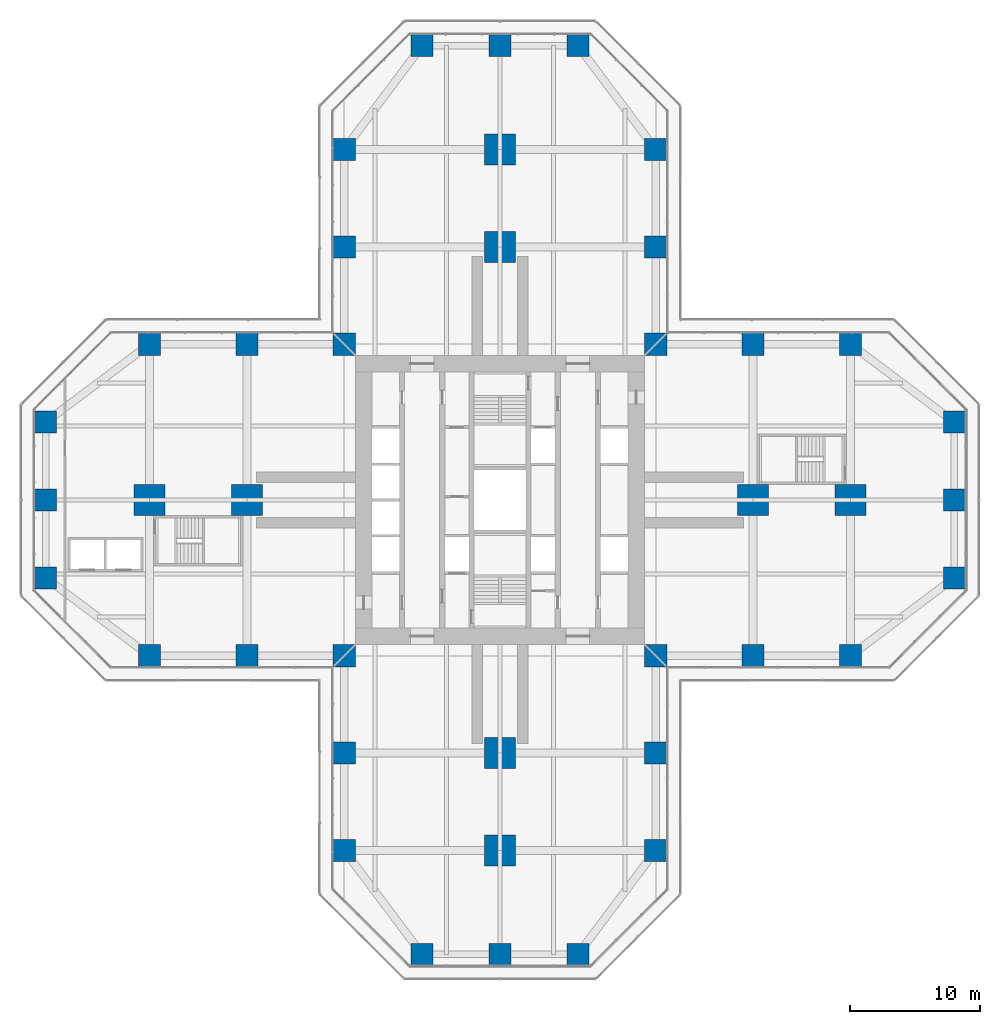
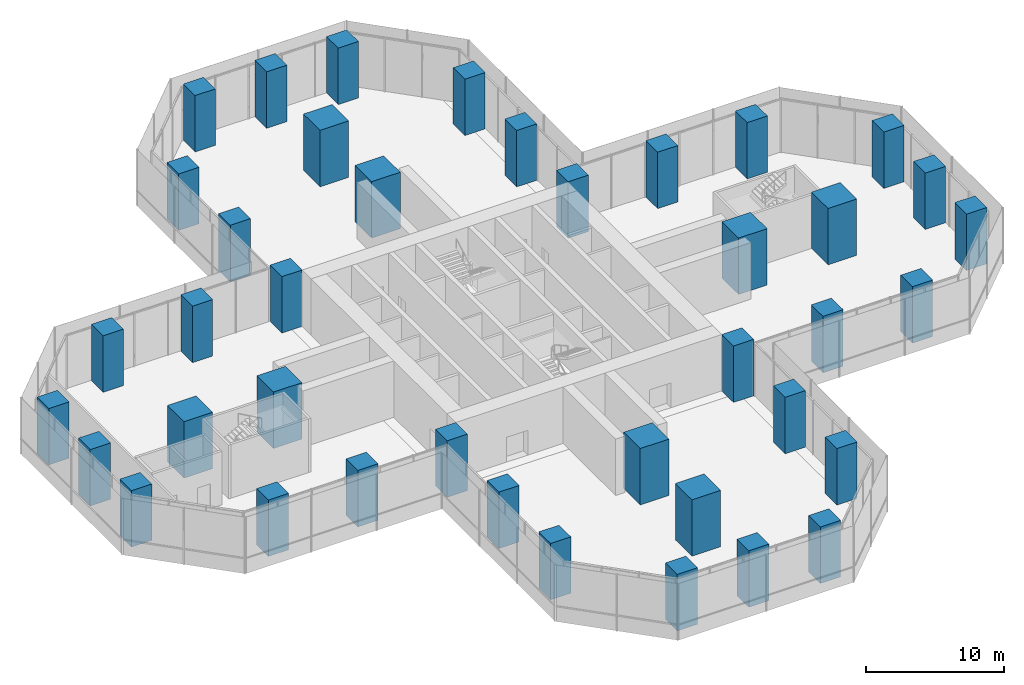
# One storey, part 1 of 23: 40 columns.
"""IFC4 building model written with IfcOpenShell, lengths in metres."""

from ifc_helpers import new_model, si_unit, direction, frame, origin, origin_2d, place, context, subcontext, project, spatial, rectangle, extrude, material, material_profile, profile_set, type_object, element, save


model = new_model("IFC4")

# Units and contexts
model_context = context("Model", 3, precision=1e-05, world=origin(), true_north=direction((0.0, 1.0)))
body_context = subcontext(model_context, "Body", "Model", "MODEL_VIEW")
ifc_project = project(units=[si_unit("LENGTHUNIT", "METRE"), si_unit("AREAUNIT", "SQUARE_METRE"), si_unit("VOLUMEUNIT", "CUBIC_METRE"), si_unit("PLANEANGLEUNIT", "RADIAN"), si_unit("MASSUNIT", "GRAM", prefix="KILO")], contexts=[model_context])

# Site, building, storey
site_placement = place(None, origin())
site = spatial("IfcSite", under=ifc_project, at=site_placement, CompositionType="ELEMENT")
building_placement = place(site_placement, origin())
building = spatial("IfcBuilding", under=site, at=building_placement, Name="Mizan Broadcast Tower", CompositionType="ELEMENT")
storey_placement = place(building_placement, frame((0.0, 0.0, 23.0)))
storey = spatial("IfcBuildingStorey", under=building, at=storey_placement, Name="L03", CompositionType="ELEMENT", Elevation=23.0)

# Columns
ifc_material_1 = material(Name="Concrete C70/85", Category="concrete")
ifc_material_profile_1 = material_profile(ifc_material_1, rectangle(XDim=1.699951171875, YDim=1.699951171875, at=origin_2d()), Name="RC 1700x1700")
ifc_profile_set_1 = profile_set([ifc_material_profile_1], Name="Concrete C70/85")
column_type_1 = type_object("IfcColumnType", Name="RC COLUMN 1700x1700 C70/85", PredefinedType="COLUMN", material=ifc_profile_set_1)
for number, where, z_axis, x_axis, name in (
    (1, (-6.0, -35.0, 0.0), (0.0, 0.0, 1.0), (1.0, 0.0, 0.0), "Column 5/A L03"),
    (2, (0.0, -35.0, 0.0), (0.0, 0.0, 1.0), (1.0, 0.0, 0.0), "Column 6/A L03"),
    (3, (6.0, -35.0, 0.0), (0.0, 0.0, 1.0), (1.0, 0.0, 0.0), "Column 7/A L03"),
    (4, (-12.0, -27.0, 0.0), (0.0, 0.0, 1.0), (1.0, 0.0, 0.0), "Column 4/B L03"),
    (5, (12.0, -27.0, 0.0), (0.0, 0.0, 1.0), (1.0, 0.0, 0.0), "Column 8/B L03"),
    (6, (-12.0, -19.5, 0.0), (0.0, 0.0, 1.0), (1.0, 0.0, 0.0), "Column 4/C L03"),
    (7, (12.0, -19.5, 0.0), (0.0, 0.0, 1.0), (1.0, 0.0, 0.0), "Column 8/C L03"),
    (8, (-27.0, -12.0, 0.0), (0.0, 0.0, 1.0), (1.0, 0.0, 0.0), "Column 2/D L03"),
    (9, (-19.5, -12.0, 0.0), (0.0, 0.0, 1.0), (1.0, 0.0, 0.0), "Column 3/D L03"),
    (10, (-12.0, -12.0, 0.0), (0.0, 0.0, 1.0), (1.0, 0.0, 0.0), "Column 4/D L03"),
    (11, (12.0, -12.0, 0.0), (0.0, 0.0, 1.0), (1.0, 0.0, 0.0), "Column 8/D L03"),
    (12, (19.5, -12.0, 0.0), (0.0, 0.0, 1.0), (1.0, 0.0, 0.0), "Column 9/D L03"),
    (13, (27.0, -12.0, 0.0), (0.0, 0.0, 1.0), (1.0, 0.0, 0.0), "Column 10/D L03"),
    (14, (-35.0, -6.0, 0.0), (0.0, 0.0, 1.0), (1.0, 0.0, 0.0), "Column 1/E L03"),
    (15, (35.0, -6.0, 0.0), (0.0, 0.0, 1.0), (1.0, 0.0, 0.0), "Column 11/E L03"),
    (16, (-35.0, 0.0, 0.0), (0.0, 0.0, 1.0), (1.0, 0.0, 0.0), "Column 1/F L03"),
    (17, (35.0, 0.0, 0.0), (0.0, 0.0, 1.0), (1.0, 0.0, 0.0), "Column 11/F L03"),
    (18, (-35.0, 6.0, 0.0), (0.0, 0.0, 1.0), (1.0, 0.0, 0.0), "Column 1/G L03"),
    (19, (35.0, 6.0, 0.0), (0.0, 0.0, 1.0), (1.0, 0.0, 0.0), "Column 11/G L03"),
    (20, (-27.0, 12.0, 0.0), (0.0, 0.0, 1.0), (1.0, 0.0, 0.0), "Column 2/H L03"),
    (21, (-19.5, 12.0, 0.0), (0.0, 0.0, 1.0), (1.0, 0.0, 0.0), "Column 3/H L03"),
    (22, (-12.0, 12.0, 0.0), (0.0, 0.0, 1.0), (1.0, 0.0, 0.0), "Column 4/H L03"),
    (23, (12.0, 12.0, 0.0), (0.0, 0.0, 1.0), (1.0, 0.0, 0.0), "Column 8/H L03"),
    (24, (19.5, 12.0, 0.0), (0.0, 0.0, 1.0), (1.0, 0.0, 0.0), "Column 9/H L03"),
    (25, (27.0, 12.0, 0.0), (0.0, 0.0, 1.0), (1.0, 0.0, 0.0), "Column 10/H L03"),
    (26, (-12.0, 19.5, 0.0), (0.0, 0.0, 1.0), (1.0, 0.0, 0.0), "Column 4/J L03"),
    (27, (12.0, 19.5, 0.0), (0.0, 0.0, 1.0), (1.0, 0.0, 0.0), "Column 8/J L03"),
    (28, (-12.0, 27.0, 0.0), (0.0, 0.0, 1.0), (1.0, 0.0, 0.0), "Column 4/K L03"),
    (29, (12.0, 27.0, 0.0), (0.0, 0.0, 1.0), (1.0, 0.0, 0.0), "Column 8/K L03"),
    (30, (-6.0, 35.0, 0.0), (0.0, 0.0, 1.0), (1.0, 0.0, 0.0), "Column 5/L L03"),
    (31, (0.0, 35.0, 0.0), (0.0, 0.0, 1.0), (1.0, 0.0, 0.0), "Column 6/L L03"),
    (32, (6.0, 35.0, 0.0), (0.0, 0.0, 1.0), (1.0, 0.0, 0.0), "Column 7/L L03"),
):
    element("IfcColumn", number, at=place(storey_placement, frame(where, z_axis=z_axis, x_axis=x_axis)), inside=storey, type_object=column_type_1, Name=name, PredefinedType="COLUMN", context=body_context, shape_type="SweptSolid", body=[
        extrude(rectangle(XDim=1.699951171875, YDim=1.699951171875, at=origin_2d()), origin(), (0.0, 0.0, 1.0), 5.0),
    ])
ifc_material_2 = material(Name="Concrete C70/85", Category="concrete")
ifc_material_profile_2 = material_profile(ifc_material_2, rectangle(XDim=2.39990234375, YDim=2.39990234375, at=origin_2d()), Name="RC 2400x2400")
ifc_profile_set_2 = profile_set([ifc_material_profile_2], Name="Concrete C70/85")
column_type_2 = type_object("IfcColumnType", Name="RC COLUMN 2400x2400 C70/85", PredefinedType="COLUMN", material=ifc_profile_set_2)
for number, where, z_axis, x_axis, name in (
    (33, (0.0, -27.0, 0.0), (0.0, 0.0, 1.0), (1.0, 0.0, 0.0), "Column 6/B L03"),
    (34, (0.0, -19.5, 0.0), (0.0, 0.0, 1.0), (1.0, 0.0, 0.0), "Column 6/C L03"),
    (35, (-27.0, 0.0, 0.0), (0.0, 0.0, 1.0), (1.0, 0.0, 0.0), "Column 2/F L03"),
    (36, (-19.5, 0.0, 0.0), (0.0, 0.0, 1.0), (1.0, 0.0, 0.0), "Column 3/F L03"),
    (37, (19.5, 0.0, 0.0), (0.0, 0.0, 1.0), (1.0, 0.0, 0.0), "Column 9/F L03"),
    (38, (27.0, 0.0, 0.0), (0.0, 0.0, 1.0), (1.0, 0.0, 0.0), "Column 10/F L03"),
    (39, (0.0, 19.5, 0.0), (0.0, 0.0, 1.0), (1.0, 0.0, 0.0), "Column 6/J L03"),
    (40, (0.0, 27.0, 0.0), (0.0, 0.0, 1.0), (1.0, 0.0, 0.0), "Column 6/K L03"),
):
    element("IfcColumn", number, at=place(storey_placement, frame(where, z_axis=z_axis, x_axis=x_axis)), inside=storey, type_object=column_type_2, Name=name, PredefinedType="COLUMN", context=body_context, shape_type="SweptSolid", body=[
        extrude(rectangle(XDim=2.39990234375, YDim=2.39990234375, at=origin_2d()), origin(), (0.0, 0.0, 1.0), 5.0),
    ])

save(model, "model.ifc")
